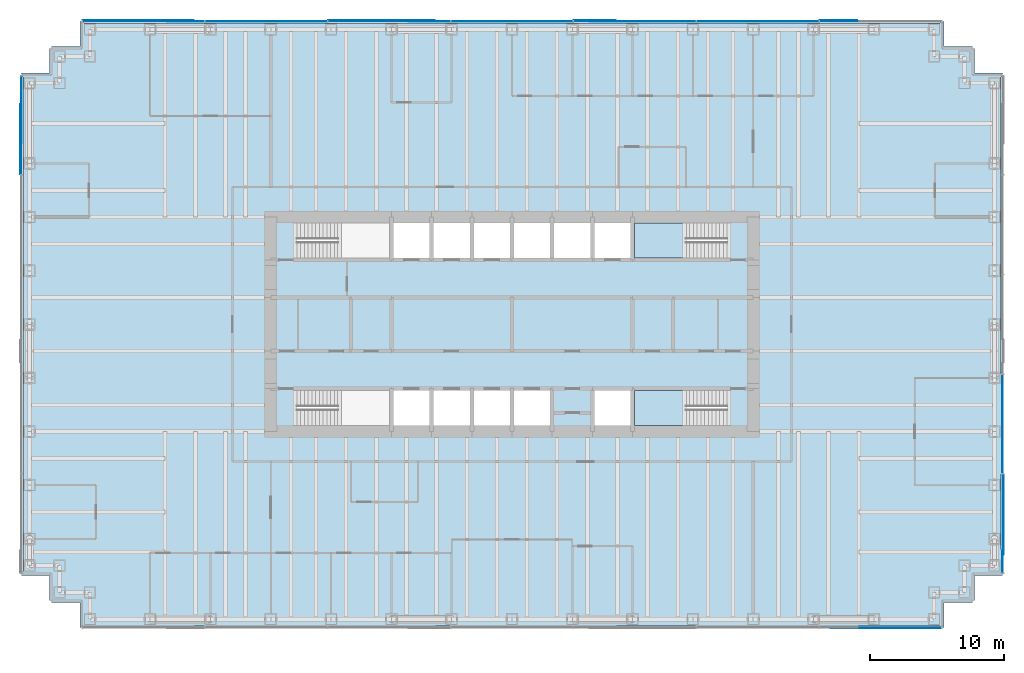
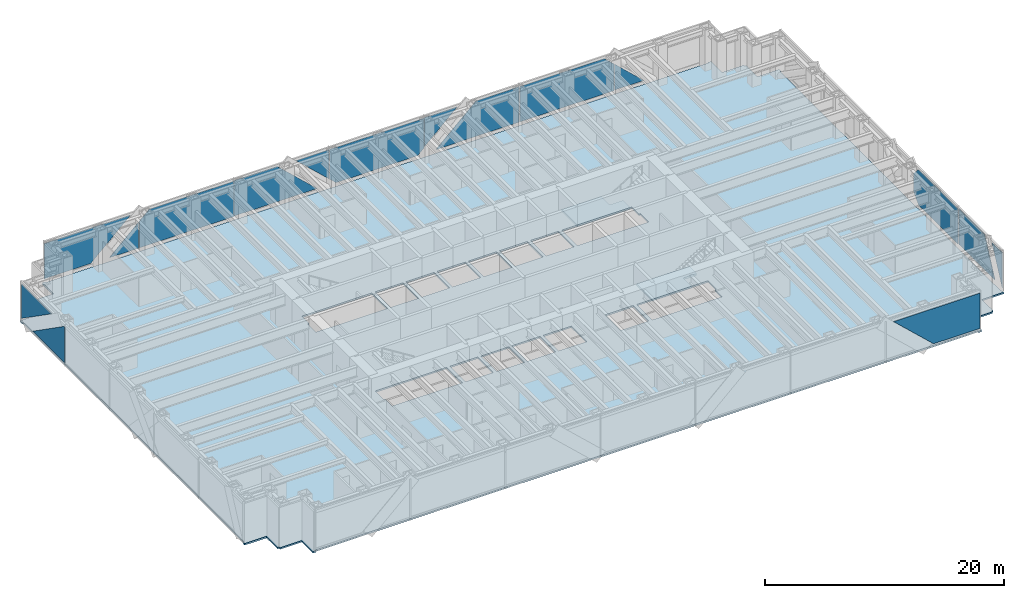
# One storey, part 11 of 17: 16 plates, 3 slabs, 6 elements without a shape of their own.
"""IFC4 building model written with IfcOpenShell, lengths in metres."""

from ifc_helpers import new_model, si_unit, direction, frame, origin, place, context, subcontext, project, spatial, polyline, outline, extrude, material, layer, layer_set, type_object, element, aggregate, save


model = new_model("IFC4")

# Units and contexts
model_context = context("Model", 3, precision=1e-05, world=origin(), true_north=direction((0.0, 1.0)))
body_context = subcontext(model_context, "Body", "Model", "MODEL_VIEW")
ifc_project = project(units=[si_unit("LENGTHUNIT", "METRE"), si_unit("AREAUNIT", "SQUARE_METRE"), si_unit("VOLUMEUNIT", "CUBIC_METRE"), si_unit("PLANEANGLEUNIT", "RADIAN"), si_unit("MASSUNIT", "GRAM", prefix="KILO")], contexts=[model_context])

# Site, building, storey
site_placement = place(None, origin())
site = spatial("IfcSite", under=ifc_project, at=site_placement, CompositionType="ELEMENT")
building_placement = place(site_placement, origin())
building = spatial("IfcBuilding", under=site, at=building_placement, Name="Rheinbord Bourse Tower", CompositionType="ELEMENT")
storey_placement = place(building_placement, frame((0.0, 0.0, 159.300048828125)))
storey = spatial("IfcBuildingStorey", under=building, at=storey_placement, Name="L35", CompositionType="ELEMENT", Elevation=159.300048828125)

# Slab
ifc_material_1 = material(Name="Concrete C30/37", Category="concrete")
ifc_layer_1 = layer(ifc_material_1, 0.159912109375)
ifc_layer_set_1 = layer_set([ifc_layer_1], Name="COMPOSITE FLOOR SLAB 160")
slab_type_1 = type_object("IfcSlabType", Name="COMPOSITE FLOOR SLAB 160", PredefinedType="FLOOR", material=ifc_layer_set_1)
slab_1_placement = place(storey_placement, frame((0.0, 0.0, -0.16015625)))
element("IfcSlab", 1, at=slab_1_placement, inside=storey, type_object=slab_type_1, Name="Floor slab L35", PredefinedType="FLOOR", context=body_context, shape_type="SweptSolid", body=[
    extrude(outline(polyline([(1.64990234375, 3.39990234375), (1.5, 3.39990234375), (1.5, 5.25), (-0.60009765625, 5.25), (-0.60009765625, 5.550048828125), (-0.5, 5.550048828125), (-0.5, 42.449951171875), (-0.60009765625, 42.449951171875), (-0.60009765625, 42.75), (1.5, 42.75), (1.5, 44.60009765625), (1.64990234375, 44.60009765625), (1.64990234375, 44.75), (3.75, 44.75), (3.75, 46.60009765625), (4.050048828125, 46.60009765625), (4.050048828125, 46.5), (67.949951171875, 46.5), (67.949951171875, 46.60009765625), (68.25, 46.60009765625), (68.25, 44.75), (70.35009765625, 44.75), (70.35009765625, 44.60009765625), (70.5, 44.60009765625), (70.5, 42.75), (72.60009765625, 42.75), (72.60009765625, 42.449951171875), (72.5, 42.449951171875), (72.5, 5.550048828125), (72.60009765625, 5.550048828125), (72.60009765625, 5.25), (70.5, 5.25), (70.5, 3.39990234375), (70.35009765625, 3.39990234375), (70.35009765625, 3.25), (68.25, 3.25), (68.25, 1.39990234375), (67.949951171875, 1.39990234375), (67.949951171875, 1.5), (4.050048828125, 1.5), (4.050048828125, 1.39990234375), (3.75, 1.39990234375), (3.75, 3.25), (1.64990234375, 3.25), (1.64990234375, 3.39990234375)]), holes=[polyline([(19.949951171875, 19.050048828125), (26.85009765625, 19.050048828125), (26.85009765625, 16.449951171875), (20.10009765625, 16.449951171875), (20.10009765625, 17.64990234375), (19.949951171875, 17.64990234375), (19.949951171875, 19.050048828125)]), polyline([(26.85009765625, 31.550048828125), (26.85009765625, 28.949951171875), (19.949951171875, 28.949951171875), (19.949951171875, 30.35009765625), (20.10009765625, 30.35009765625), (20.10009765625, 31.550048828125), (26.85009765625, 31.550048828125)]), polyline([(45.14990234375, 16.449951171875), (45.14990234375, 19.050048828125), (52.050048828125, 19.050048828125), (52.050048828125, 17.64990234375), (51.89990234375, 17.64990234375), (51.89990234375, 16.449951171875), (45.14990234375, 16.449951171875)]), polyline([(52.050048828125, 28.949951171875), (45.14990234375, 28.949951171875), (45.14990234375, 31.550048828125), (51.89990234375, 31.550048828125), (51.89990234375, 30.35009765625), (52.050048828125, 30.35009765625), (52.050048828125, 28.949951171875)]), polyline([(27.14990234375, 16.449951171875), (27.14990234375, 19.050048828125), (29.85009765625, 19.050048828125), (29.85009765625, 16.449951171875), (27.14990234375, 16.449951171875)]), polyline([(27.14990234375, 28.949951171875), (27.14990234375, 31.550048828125), (29.85009765625, 31.550048828125), (29.85009765625, 28.949951171875), (27.14990234375, 28.949951171875)]), polyline([(30.14990234375, 16.449951171875), (30.14990234375, 19.050048828125), (32.85009765625, 19.050048828125), (32.85009765625, 16.449951171875), (30.14990234375, 16.449951171875)]), polyline([(30.14990234375, 28.949951171875), (30.14990234375, 31.550048828125), (32.85009765625, 31.550048828125), (32.85009765625, 28.949951171875), (30.14990234375, 28.949951171875)]), polyline([(33.14990234375, 16.449951171875), (33.14990234375, 19.050048828125), (35.85009765625, 19.050048828125), (35.85009765625, 16.449951171875), (33.14990234375, 16.449951171875)]), polyline([(33.14990234375, 28.949951171875), (33.14990234375, 31.550048828125), (35.85009765625, 31.550048828125), (35.85009765625, 28.949951171875), (33.14990234375, 28.949951171875)]), polyline([(36.14990234375, 16.449951171875), (36.14990234375, 19.050048828125), (38.85009765625, 19.050048828125), (38.85009765625, 16.449951171875), (36.14990234375, 16.449951171875)]), polyline([(36.14990234375, 28.949951171875), (36.14990234375, 31.550048828125), (38.85009765625, 31.550048828125), (38.85009765625, 28.949951171875), (36.14990234375, 28.949951171875)]), polyline([(39.14990234375, 28.949951171875), (39.14990234375, 31.550048828125), (41.85009765625, 31.550048828125), (41.85009765625, 28.949951171875), (39.14990234375, 28.949951171875)]), polyline([(42.14990234375, 16.449951171875), (42.14990234375, 19.050048828125), (44.85009765625, 19.050048828125), (44.85009765625, 16.449951171875), (42.14990234375, 16.449951171875)]), polyline([(42.14990234375, 28.949951171875), (42.14990234375, 31.550048828125), (44.85009765625, 31.550048828125), (44.85009765625, 28.949951171875), (42.14990234375, 28.949951171875)])]), origin(), (0.0, 0.0, 1.0), 0.16015625),
])

# Curtain wall, plate
ifc_material_2 = material(Name="Dark glass and black aluminium", Category="aluminium")
curtain_wall_type = type_object("IfcCurtainWallType", Name="CW2 DARK GLASS CURTAIN WALL", PredefinedType="USERDEFINED", material=ifc_material_2)
curtain_wall_1_placement = place(storey_placement, origin())
curtain_wall_1 = element("IfcCurtainWall", 2, at=curtain_wall_1_placement, inside=storey, type_object=curtain_wall_type, Name="Curtain wall CW2 S L35", ObjectType="UNITISED CURTAIN WALL", PredefinedType="USERDEFINED")
ifc_material_3 = material(Name="Dark tinted triple insulating glass", Category="glass")
ifc_layer_2 = layer(ifc_material_3, 0.050048828125)
ifc_layer_set_2 = layer_set([ifc_layer_2], Name="CW2 DARK GLASS PANEL")
plate_type = type_object("IfcPlateType", Name="CW2 DARK GLASS PANEL", PredefinedType="CURTAIN_PANEL", material=ifc_layer_set_2)
plate_1_placement = place(storey_placement, frame((68.030029296875, 1.31982421875, 3.89990234375), z_axis=(0.0, 1.0, 0.0), x_axis=(0.0, 0.0, -1.0)))
plate_1 = element("IfcPlate", 3, at=plate_1_placement, type_object=plate_type, Name="CW2 glass facet 2", PredefinedType="CURTAIN_PANEL", context=body_context, shape_type="SweptSolid", body=[
    extrude(outline(polyline([(0.0, 0.0), (3.599853515625, 0.0), (3.599853515625, 4.465087890625), (0.0, 8.322021484375), (0.0, 0.0)])), origin(), (0.0, 0.0, 1.0), 0.050048828125),
])
aggregate(curtain_wall_1, [plate_1])

# Curtain wall, plates
curtain_wall_2_placement = place(storey_placement, origin())
curtain_wall_2 = element("IfcCurtainWall", 4, at=curtain_wall_2_placement, inside=storey, type_object=curtain_wall_type, Name="Curtain wall CW2 E L35", ObjectType="UNITISED CURTAIN WALL", PredefinedType="USERDEFINED")
plate_2_placement = place(storey_placement, frame((72.625, 5.469970703125, 0.300048828125), z_axis=(-1.0, 0.0, 0.0), x_axis=(0.0, 0.0, 1.0)))
plate_2 = element("IfcPlate", 5, at=plate_2_placement, type_object=plate_type, Name="CW2 glass facet 1", PredefinedType="CURTAIN_PANEL", context=body_context, shape_type="SweptSolid", body=[
    extrude(outline(polyline([(0.0, 0.0), (3.599853515625, 0.0), (3.599853515625, 1.717041015625), (0.0, 0.0029296875), (0.0, 0.0)])), origin(), (0.0, 0.0, 1.0), 0.050048828125),
])
plate_3_placement = place(storey_placement, frame((72.68017578125, 12.804931640625, 3.89990234375), z_axis=(-1.0, 0.0, 0.0), x_axis=(0.0, 0.0, -1.0)))
plate_3 = element("IfcPlate", 6, at=plate_3_placement, type_object=plate_type, Name="CW2 glass facet 2", PredefinedType="CURTAIN_PANEL", context=body_context, shape_type="SweptSolid", body=[
    extrude(outline(polyline([(0.0, 0.0), (3.599853515625, 0.0), (3.599853515625, 5.991943359375), (0.0, 4.27783203125), (0.0, 0.0)])), origin(), (0.0, 0.0, 1.0), 0.050048828125),
])
plate_4_placement = place(storey_placement, frame((72.625, 12.875, 0.300048828125), z_axis=(-1.0, 0.0, 0.0), x_axis=(0.0, 0.0, 1.0)))
plate_4 = element("IfcPlate", 7, at=plate_4_placement, type_object=plate_type, Name="CW2 glass facet 1", PredefinedType="CURTAIN_PANEL", context=body_context, shape_type="SweptSolid", body=[
    extrude(outline(polyline([(0.0, 0.0), (3.599853515625, 0.0), (3.599853515625, 6.574951171875), (2.764892578125, 7.3701171875), (0.8349609375, 7.3701171875), (0.0, 6.574951171875), (0.0, 0.0)])), origin(), (0.0, 0.0, 1.0), 0.050048828125),
])
aggregate(curtain_wall_2, [plate_2, plate_3, plate_4])

curtain_wall_3_placement = place(storey_placement, origin())
curtain_wall_3 = element("IfcCurtainWall", 8, at=curtain_wall_3_placement, inside=storey, type_object=curtain_wall_type, Name="Curtain wall CW2 N L35", ObjectType="UNITISED CURTAIN WALL", PredefinedType="USERDEFINED")
plate_5_placement = place(storey_placement, frame((58.964111328125, 46.68017578125, 0.300048828125), z_axis=(0.0, -1.0, 0.0), x_axis=(1.0, 0.0, 0.0)))
plate_5 = element("IfcPlate", 9, at=plate_5_placement, type_object=plate_type, Name="CW2 glass facet 2", PredefinedType="CURTAIN_PANEL", context=body_context, shape_type="SweptSolid", body=[
    extrude(outline(polyline([(0.0, 0.0), (2.827880859375, 0.0), (0.0, 2.639892578125), (0.0, 0.0)])), origin(), (0.0, 0.0, 1.0), 0.050048828125),
])
plate_6_placement = place(storey_placement, frame((49.7919921875, 46.625, 3.89990234375), z_axis=(0.0, -1.0, 0.0), x_axis=(0.0, 0.0, -1.0)))
plate_6 = element("IfcPlate", 10, at=plate_6_placement, type_object=plate_type, Name="CW2 glass facet 1", PredefinedType="CURTAIN_PANEL", context=body_context, shape_type="SweptSolid", body=[
    extrude(outline(polyline([(0.0, 0.0), (3.599853515625, 0.0), (3.599853515625, 9.10205078125), (0.89501953125, 9.10205078125), (0.0, 8.14306640625), (0.0, 0.0)])), origin(), (0.0, 0.0, 1.0), 0.050048828125),
])
plate_7_placement = place(storey_placement, frame((49.721923828125, 46.625, 0.300048828125), z_axis=(0.0, -1.0, 0.0), x_axis=(0.0, 0.0, 1.0)))
plate_7 = element("IfcPlate", 11, at=plate_7_placement, type_object=plate_type, Name="CW2 glass facet 1", PredefinedType="CURTAIN_PANEL", context=body_context, shape_type="SweptSolid", body=[
    extrude(outline(polyline([(0.0, 0.0), (3.599853515625, 0.0), (3.599853515625, 4.156982421875), (0.0, 8.013916015625), (0.0, 0.0)])), origin(), (0.0, 0.0, 1.0), 0.050048828125),
])
plate_8_placement = place(storey_placement, frame((40.62109375, 46.68017578125, 3.89990234375), z_axis=(0.0, -1.0, 0.0), x_axis=(0.0, 0.0, -1.0)))
plate_8 = element("IfcPlate", 12, at=plate_8_placement, type_object=plate_type, Name="CW2 glass facet 2", PredefinedType="CURTAIN_PANEL", context=body_context, shape_type="SweptSolid", body=[
    extrude(outline(polyline([(0.0, 0.0), (2.9599609375, 0.0), (0.0, 3.1708984375), (0.0, 0.0)])), origin(), (0.0, 0.0, 1.0), 0.050048828125),
])
plate_9_placement = place(storey_placement, frame((39.93505859375, 46.625, 0.300048828125), z_axis=(0.0, -1.0, 0.0), x_axis=(0.731026361921, 0.0, 0.682349220104)))
plate_9 = element("IfcPlate", 13, at=plate_9_placement, type_object=plate_type, Name="CW2 glass facet 1", PredefinedType="CURTAIN_PANEL", context=body_context, shape_type="SweptSolid", body=[
    extrude(outline(polyline([(0.0, 0.0), (0.842529296875, 0.0), (2.90673828125, 2.211181640625), (-3.747314453125, 8.422119140625), (-5.811279296875, 6.210693359375), (-5.753173828125, 5.3701171875), (0.0, 0.0)])), origin(), (0.0, 0.0, 1.0), 0.050048828125),
])
plate_10_placement = place(storey_placement, frame((31.37890625, 46.625, 3.89990234375), z_axis=(0.0, -1.0, 0.0), x_axis=(-1.0, 0.0, 0.0)))
plate_10 = element("IfcPlate", 14, at=plate_10_placement, type_object=plate_type, Name="CW2 glass facet 1", PredefinedType="CURTAIN_PANEL", context=body_context, shape_type="SweptSolid", body=[
    extrude(outline(polyline([(0.0, 0.0), (3.1708984375, 0.0), (0.0, 2.9599609375), (0.0, 0.0)])), origin(), (0.0, 0.0, 1.0), 0.050048828125),
])
plate_11_placement = place(storey_placement, frame((22.278076171875, 46.68017578125, 3.89990234375), z_axis=(0.0, -1.0, 0.0), x_axis=(0.0, 0.0, -1.0)))
plate_11 = element("IfcPlate", 15, at=plate_11_placement, type_object=plate_type, Name="CW2 glass facet 2", PredefinedType="CURTAIN_PANEL", context=body_context, shape_type="SweptSolid", body=[
    extrude(outline(polyline([(0.0, 0.0), (3.599853515625, 0.0), (3.599853515625, 8.013916015625), (0.0, 4.156982421875), (0.0, 0.0)])), origin(), (0.0, 0.0, 1.0), 0.050048828125),
])
plate_12_placement = place(storey_placement, frame((13.10595703125, 46.625, 0.300048828125), z_axis=(0.0, -1.0, 0.0), x_axis=(1.0, 0.0, 0.0)))
plate_12 = element("IfcPlate", 16, at=plate_12_placement, type_object=plate_type, Name="CW2 glass facet 1", PredefinedType="CURTAIN_PANEL", context=body_context, shape_type="SweptSolid", body=[
    extrude(outline(polyline([(0.0, 0.0), (9.10205078125, 0.0), (9.10205078125, 3.599853515625), (0.958984375, 3.599853515625), (0.0, 2.704833984375), (0.0, 0.0)])), origin(), (0.0, 0.0, 1.0), 0.050048828125),
])
plate_13_placement = place(storey_placement, frame((13.035888671875, 46.625, 0.300048828125), z_axis=(0.0, -1.0, 0.0), x_axis=(0.0, 0.0, 1.0)))
plate_13 = element("IfcPlate", 17, at=plate_13_placement, type_object=plate_type, Name="CW2 glass facet 1", PredefinedType="CURTAIN_PANEL", context=body_context, shape_type="SweptSolid", body=[
    extrude(outline(polyline([(0.0, 0.0), (2.639892578125, 0.0), (0.0, 2.827880859375), (0.0, 0.0)])), origin(), (0.0, 0.0, 1.0), 0.050048828125),
])
plate_14_placement = place(storey_placement, frame((3.969970703125, 46.68017578125, 3.89990234375), z_axis=(0.0, -1.0, 0.0), x_axis=(0.0, 0.0, -1.0)))
plate_14 = element("IfcPlate", 18, at=plate_14_placement, type_object=plate_type, Name="CW2 glass facet 2", PredefinedType="CURTAIN_PANEL", context=body_context, shape_type="SweptSolid", body=[
    extrude(outline(polyline([(0.0, 0.0), (3.599853515625, 0.0), (3.599853515625, 4.465087890625), (0.0, 8.322021484375), (0.0, 0.0)])), origin(), (0.0, 0.0, 1.0), 0.050048828125),
])
aggregate(curtain_wall_3, [plate_5, plate_6, plate_7, plate_8, plate_9, plate_10, plate_11, plate_12, plate_13, plate_14])

curtain_wall_4_placement = place(storey_placement, origin())
curtain_wall_4 = element("IfcCurtainWall", 19, at=curtain_wall_4_placement, inside=storey, type_object=curtain_wall_type, Name="Curtain wall CW2 W L35", ObjectType="UNITISED CURTAIN WALL", PredefinedType="USERDEFINED")
plate_15_placement = place(storey_placement, frame((-0.625, 42.530029296875, 3.89990234375), z_axis=(1.0, 0.0, 0.0), x_axis=(0.0, -1.0, 0.0)))
plate_15 = element("IfcPlate", 20, at=plate_15_placement, type_object=plate_type, Name="CW2 glass facet 1", PredefinedType="CURTAIN_PANEL", context=body_context, shape_type="SweptSolid", body=[
    extrude(outline(polyline([(0.0, 0.0), (5.046142578125, 0.0), (0.0, 3.532958984375), (0.0, 0.0)])), origin(), (0.0, 0.0, 1.0), 0.050048828125),
])
plate_16_placement = place(storey_placement, frame((-0.68017578125, 35.195068359375, 3.89990234375), z_axis=(1.0, 0.0, 0.0), x_axis=(0.0, 0.0, -1.0)))
plate_16 = element("IfcPlate", 21, at=plate_16_placement, type_object=plate_type, Name="CW2 glass facet 2", PredefinedType="CURTAIN_PANEL", context=body_context, shape_type="SweptSolid", body=[
    extrude(outline(polyline([(0.0, 0.0), (3.599853515625, 0.0), (3.599853515625, 5.321044921875), (0.0, 0.178955078125), (0.0, 0.0)])), origin(), (0.0, 0.0, 1.0), 0.050048828125),
])
aggregate(curtain_wall_4, [plate_15, plate_16])

# Stair, slab
ifc_material_4 = material(Name="Concrete C30/37", Category="concrete")
stair_type = type_object("IfcStairType", Name="CORE STAIR HALF TURN 4200", PredefinedType="HALF_TURN_STAIR", material=ifc_material_4)
stair_1_placement = place(storey_placement, origin())
stair_1 = element("IfcStair", 22, at=stair_1_placement, inside=storey, type_object=stair_type, Name="Stair ST3 L35, type CS6", PredefinedType="HALF_TURN_STAIR")
ifc_material_5 = material(Name="Concrete C30/37", Category="concrete")
ifc_layer_3 = layer(ifc_material_5, 0.199951171875)
ifc_layer_set_3 = layer_set([ifc_layer_3], Name="STAIR LANDING 200")
slab_type_2 = type_object("IfcSlabType", Name="STAIR LANDING 200", PredefinedType="LANDING", material=ifc_layer_set_3)
slab_2_placement = place(storey_placement, frame((0.0, 0.0, 1.89990234375)))
slab_2 = element("IfcSlab", 23, at=slab_2_placement, type_object=slab_type_2, Name="Half landing ST3 L35", PredefinedType="LANDING", context=body_context, shape_type="SweptSolid", body=[
    extrude(outline(polyline([(45.14990234375, 16.449951171875), (48.969970703125, 16.449951171875), (48.969970703125, 17.85009765625), (50.251953125, 17.85009765625), (50.251953125, 19.050048828125), (45.14990234375, 19.050048828125), (45.14990234375, 16.449951171875)])), origin(), (0.0, 0.0, 1.0), 0.199951171875),
])
aggregate(stair_1, [slab_2])

stair_2_placement = place(storey_placement, origin())
stair_2 = element("IfcStair", 24, at=stair_2_placement, inside=storey, type_object=stair_type, Name="Stair ST4 L35, type CS6", PredefinedType="HALF_TURN_STAIR")
slab_3_placement = place(storey_placement, frame((0.0, 0.0, 1.89990234375)))
slab_3 = element("IfcSlab", 25, at=slab_3_placement, type_object=slab_type_2, Name="Half landing ST4 L35", PredefinedType="LANDING", context=body_context, shape_type="SweptSolid", body=[
    extrude(outline(polyline([(45.14990234375, 28.949951171875), (50.251953125, 28.949951171875), (50.251953125, 30.14990234375), (48.969970703125, 30.14990234375), (48.969970703125, 31.550048828125), (45.14990234375, 31.550048828125), (45.14990234375, 28.949951171875)])), origin(), (0.0, 0.0, 1.0), 0.199951171875),
])
aggregate(stair_2, [slab_3])

save(model, "model.ifc")
